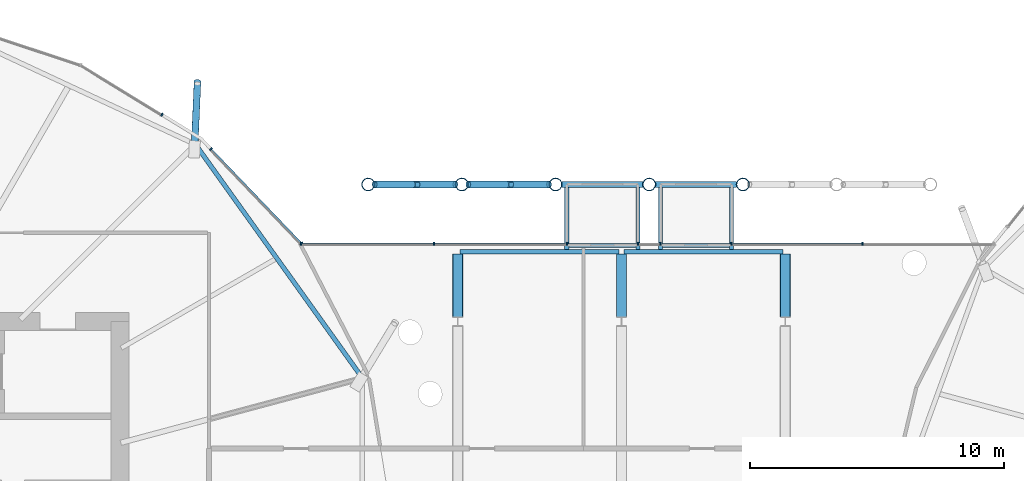
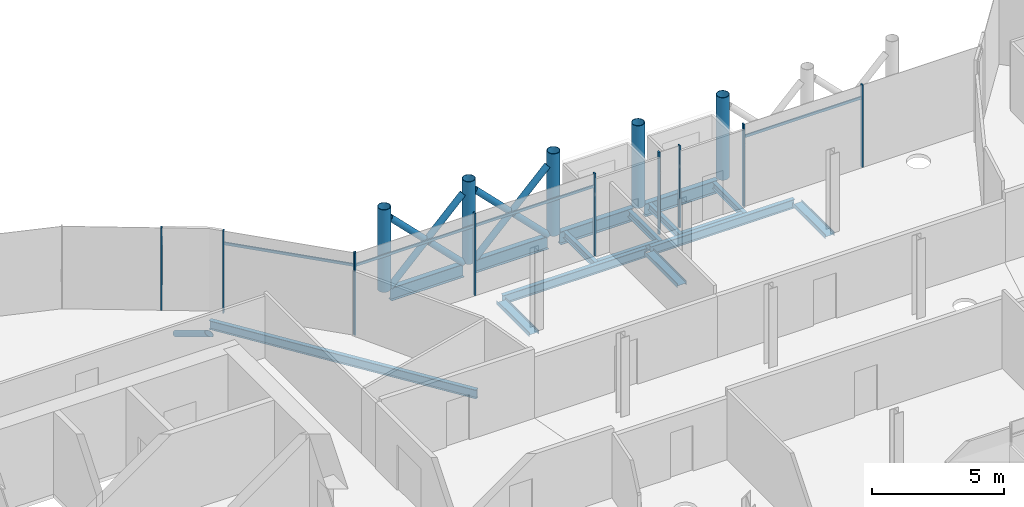
# One storey, part 11 of 39: 26 members, 16 beams, 2 elements without a shape of their own.
"""IFC4 building model written with IfcOpenShell, lengths in metres."""

import ifcopenshell
import ifcopenshell.guid

model = None  # the IFC model being written
_history = None  # IfcOwnerHistory: only IFC2X3 demands one
_inside = {}  # id of a spatial element -> (the spatial element, [elements in it])
_under = {}  # id of a project, library or spatial element -> (it, [spatial elements below it])
_declared = {}  # id of a project -> (the project, [libraries it declares])
_typed = {}  # id of a type object -> (the type object, [elements of that type])
_made_of = {}  # id of a material, layer set ... -> (it, [elements and type objects made of it])


def new_model(schema):
    """Start an empty IFC model of exactly this schema.

    Asked for "IFC4X3", IfcOpenShell would pick the latest addendum, in which some entities
    have other attributes; the version numbers below select the first issue.
    IFC2X3 requires an IfcOwnerHistory on every rooted entity: one is made here for all.
    """
    global model, _history
    if schema == "IFC4X3":
        model = ifcopenshell.file(schema_version=(4, 3, 0, 0))
    else:
        model = ifcopenshell.file(schema=schema)
    _inside.clear()
    _under.clear()
    _declared.clear()
    _typed.clear()
    _made_of.clear()
    _history = None
    if model.schema == "IFC2X3":
        org = make("IfcOrganization", Name="unknown")
        user = make(
            "IfcPersonAndOrganization",
            ThePerson=make("IfcPerson", FamilyName="unknown"),
            TheOrganization=org,
        )
        app = make(
            "IfcApplication",
            ApplicationDeveloper=org,
            Version="unknown",
            ApplicationFullName="unknown",
            ApplicationIdentifier="unknown",
        )
        _history = make(
            "IfcOwnerHistory",
            OwningUser=user,
            OwningApplication=app,
            ChangeAction="ADDED",
            CreationDate=0,
        )
    return model


def make(cls, **values):
    """One entity of the class cls with the attributes given. An attribute that is None is left unset."""
    return model.create_entity(
        cls, **{name: value for name, value in values.items() if value is not None}
    )


def rooted(cls, **values):
    """An entity with a GlobalId (a new one), such as an element, a storey or a relation."""
    return make(cls, GlobalId=ifcopenshell.guid.new(), OwnerHistory=_history, **values)


def si_unit(unit_type, name, prefix=None):
    """IfcSIUnit, for example si_unit("LENGTHUNIT", "METRE", prefix="MILLI")."""
    return make("IfcSIUnit", UnitType=unit_type, Prefix=prefix, Name=name)


def assignment(units):
    """IfcUnitAssignment: the units of a project."""
    return None if units is None else make("IfcUnitAssignment", Units=units)


def point(xyz):
    """IfcCartesianPoint."""
    return None if xyz is None else make("IfcCartesianPoint", Coordinates=xyz)


def direction(xyz):
    """IfcDirection."""
    return None if xyz is None else make("IfcDirection", DirectionRatios=xyz)


def frame(location, z_axis=None, x_axis=None):
    """IfcAxis2Placement3D, a coordinate frame: its origin and axes. An axis left out is left unset."""
    return make(
        "IfcAxis2Placement3D",
        Location=point(location),
        Axis=direction(z_axis),
        RefDirection=direction(x_axis),
    )


def frame_2d(location, x_axis=None):
    """IfcAxis2Placement2D, a coordinate frame in the plane: its origin and x axis."""
    return make(
        "IfcAxis2Placement2D", Location=point(location), RefDirection=direction(x_axis)
    )


def origin():
    """The frame at (0, 0, 0) with its axes left unset."""
    return frame((0.0, 0.0, 0.0))


def origin_2d():
    """The frame at (0, 0) in the plane with its x axis left unset."""
    return frame_2d((0.0, 0.0))


def place(relative_to, where):
    """IfcLocalPlacement: puts the frame where relative to a parent placement (None: the world)."""
    return make(
        "IfcLocalPlacement", PlacementRelTo=relative_to, RelativePlacement=where
    )


def context(
    kind, dimensions, precision=None, world=None, true_north=None, identifier=None
):
    """IfcGeometricRepresentationContext, for example the 3D "Model" context."""
    return make(
        "IfcGeometricRepresentationContext",
        ContextIdentifier=identifier,
        ContextType=kind,
        CoordinateSpaceDimension=dimensions,
        Precision=precision,
        WorldCoordinateSystem=world,
        TrueNorth=true_north,
    )


def subcontext(parent, identifier, kind, view, scale=None):
    """IfcGeometricRepresentationSubContext, for example "Body" below "Model"."""
    return make(
        "IfcGeometricRepresentationSubContext",
        ContextIdentifier=identifier,
        ContextType=kind,
        ParentContext=parent,
        TargetScale=scale,
        TargetView=view,
    )


def project(units=None, contexts=None):
    """IfcProject with its units and contexts."""
    return rooted(
        "IfcProject",
        Name="project",
        RepresentationContexts=contexts,
        UnitsInContext=assignment(units),
    )


def spatial(cls, under=None, at=None, **own):
    """A site, building, storey or space (cls), placed at a placement, below another one or the project."""
    s = rooted(cls, ObjectPlacement=at, **own)
    if under is not None:
        _under.setdefault(under.id(), (under, []))[1].append(s)
    return s


def profile(cls, at=None, kind="AREA", **sizes):
    """A parametric profile (cls). Its sizes go by their IFC names, for example OverallWidth=200.0."""
    return make(cls, ProfileType=kind, Position=at, **sizes)


def rectangle(**sizes):
    """IfcRectangleProfileDef."""
    return profile("IfcRectangleProfileDef", **sizes)


def hollow_circle(**sizes):
    """IfcCircleHollowProfileDef."""
    return profile("IfcCircleHollowProfileDef", **sizes)


def i_section(**sizes):
    """IfcIShapeProfileDef."""
    return profile("IfcIShapeProfileDef", **sizes)


def extrude(swept, where, along, depth):
    """IfcExtrudedAreaSolid: the profile swept, set in the frame where, extruded along a direction by depth."""
    return make(
        "IfcExtrudedAreaSolid",
        SweptArea=swept,
        Position=where,
        ExtrudedDirection=direction(along),
        Depth=depth,
    )


def clip(a, b, op="DIFFERENCE"):
    """IfcBooleanClippingResult: the solid a cut by the half space b."""
    return make(
        "IfcBooleanClippingResult", Operator=op, FirstOperand=a, SecondOperand=b
    )


def halfspace(plane, agree):
    """IfcHalfSpaceSolid: all space on one side of the plane z = 0 of the frame plane."""
    return make(
        "IfcHalfSpaceSolid",
        BaseSurface=make("IfcPlane", Position=plane),
        AgreementFlag=agree,
    )


def shape(context_of_items, identifier, shape_type, items):
    """IfcShapeRepresentation: the items that make up one representation, for example the "Body"."""
    return make(
        "IfcShapeRepresentation",
        ContextOfItems=context_of_items,
        RepresentationIdentifier=identifier,
        RepresentationType=shape_type,
        Items=items,
    )


def material(Name=None, Category=None):
    """IfcMaterial."""
    return make("IfcMaterial", Name=Name, Category=Category)


def material_profile(
    of_material, cross_section, Name=None, Category=None, Priority=None
):
    """IfcMaterialProfile: a cross section and its material."""
    return make(
        "IfcMaterialProfile",
        Name=Name,
        Material=of_material,
        Profile=cross_section,
        Priority=Priority,
        Category=Category,
    )


def profile_set(profiles, Name=None, composite=None):
    """IfcMaterialProfileSet."""
    return make(
        "IfcMaterialProfileSet",
        Name=Name,
        MaterialProfiles=profiles,
        CompositeProfile=composite,
    )


def made_of(thing, what):
    """Note that an element or type object is made of a material, layer set ...; save() writes the relation."""
    if what is not None:
        _made_of.setdefault(what.id(), (what, []))[1].append(thing)
    return thing


def type_object(cls, material=None, **own):
    """A type object (cls), such as IfcWallType, which elements share."""
    return made_of(rooted(cls, **own), material)


def element(
    cls,
    number,
    at=None,
    inside=None,
    cuts=None,
    type_object=None,
    material=None,
    context=None,
    identifier="Body",
    shape_type=None,
    held_by="IfcProductDefinitionShape",
    body=None,
    shapes=None,
    **own,
):
    """One element of the class cls, such as IfcWall. Its Tag is "e" and its number.

    at: its placement. inside: the storey or other place that contains it. cuts: it is an
    opening in that element (IfcRelVoidsElement). A single representation is given by context,
    identifier, shape_type and body (its items); several are given by shapes. held_by: the class
    of the entity that holds the representations. save() writes the other relations.
    """
    e = rooted(cls, Tag="e%d" % number, ObjectPlacement=at, **own)
    if body is not None:
        shapes = [shape(context, identifier, shape_type, body)]
    if shapes is not None:
        e.Representation = make(held_by, Representations=shapes)
    if inside is not None:
        _inside.setdefault(inside.id(), (inside, []))[1].append(e)
    if cuts is not None:
        rooted(
            "IfcRelVoidsElement", RelatingBuildingElement=cuts, RelatedOpeningElement=e
        )
    if type_object is not None:
        _typed.setdefault(type_object.id(), (type_object, []))[1].append(e)
    return made_of(e, material)


def aggregate(whole, parts):
    """IfcRelAggregates: a whole, such as a stair, and the parts it consists of."""
    return rooted("IfcRelAggregates", RelatingObject=whole, RelatedObjects=parts)


def save(model, path):
    """Write the relations noted so far, then the file.

    IfcRelAggregates (storeys below a building ...), IfcRelContainedInSpatialStructure (elements
    in a storey), IfcRelDefinesByType, IfcRelAssociatesMaterial and IfcRelDeclares: one each for
    every whole, place, type object, material and project.
    """
    for whole, parts in _under.values():
        aggregate(whole, parts)
    for where, things in _inside.values():
        rooted(
            "IfcRelContainedInSpatialStructure",
            RelatedElements=things,
            RelatingStructure=where,
        )
    for kind, things in _typed.values():
        rooted("IfcRelDefinesByType", RelatedObjects=things, RelatingType=kind)
    for what, things in _made_of.values():
        rooted("IfcRelAssociatesMaterial", RelatedObjects=things, RelatingMaterial=what)
    for by, libraries in _declared.values():
        rooted("IfcRelDeclares", RelatingContext=by, RelatedDefinitions=libraries)
    model.write(path)


model = new_model("IFC4")

# Units and contexts
model_context = context("Model", 3, precision=1e-05, world=origin(), true_north=direction((0.0, 1.0)))
body_context = subcontext(model_context, "Body", "Model", "MODEL_VIEW")
ifc_project = project(units=[si_unit("LENGTHUNIT", "METRE"), si_unit("AREAUNIT", "SQUARE_METRE"), si_unit("VOLUMEUNIT", "CUBIC_METRE"), si_unit("PLANEANGLEUNIT", "RADIAN"), si_unit("MASSUNIT", "GRAM", prefix="KILO")], contexts=[model_context])

# Site, building, storey
site_placement = place(None, origin())
site = spatial("IfcSite", under=ifc_project, at=site_placement, CompositionType="ELEMENT")
building_placement = place(site_placement, origin())
building = spatial("IfcBuilding", under=site, at=building_placement, Name="Rimbun Link Towers", CompositionType="ELEMENT")
storey_placement = place(building_placement, frame((0.0, 0.0, 143.0)))
storey = spatial("IfcBuildingStorey", under=building, at=storey_placement, Name="L34", CompositionType="ELEMENT", Elevation=143.0)

# Curtain wall, members
ifc_material_1 = material(Name="Aluminium 6063-T6 and low-iron glass", Category="aluminium")
curtain_wall_type = type_object("IfcCurtainWallType", Name="CW4 link block wall", PredefinedType="NOTDEFINED", material=ifc_material_1)
curtain_wall_1_placement = place(storey_placement, origin())
curtain_wall_1 = element("IfcCurtainWall", 1, at=curtain_wall_1_placement, inside=storey, type_object=curtain_wall_type, Name="CW4 L34 T1", PredefinedType="NOTDEFINED")
ifc_material_2 = material(Name="Aluminium 6063-T6", Category="aluminium")
ifc_material_profile_1 = material_profile(ifc_material_2, rectangle(XDim=0.1201171875, YDim=0.06005859375, at=origin_2d()), Name="MULLION 60X120")
ifc_profile_set_1 = profile_set([ifc_material_profile_1], Name="Aluminium 6063-T6")
member_type_1 = type_object("IfcMemberType", Name="CW4 mullion 60X120", PredefinedType="MULLION", material=ifc_profile_set_1)
member_1_placement = place(storey_placement, frame((-16.171875, 14.798583984375, 0.0), z_axis=(0.0, 0.0, 1.0), x_axis=(0.721858090698, 0.692041109252, 0.0)))
member_1 = element("IfcMember", 2, at=member_1_placement, type_object=member_type_1, Name="CW4 mullion", PredefinedType="MULLION", context=body_context, shape_type="SweptSolid", body=[
    extrude(rectangle(XDim=0.1201171875, YDim=0.06005859375, at=origin_2d()), origin(), (0.0, 0.0, 1.0), 3.800048828125),
])
member_2_placement = place(storey_placement, frame((-12.599853515625, 11.07275390625, 0.0), z_axis=(0.0, 0.0, 1.0), x_axis=(0.721858090698, 0.692041109252, 0.0)))
member_2 = element("IfcMember", 3, at=member_2_placement, type_object=member_type_1, Name="CW4 mullion", PredefinedType="MULLION", context=body_context, shape_type="SweptSolid", body=[
    extrude(rectangle(XDim=0.1201171875, YDim=0.06005859375, at=origin_2d()), origin(), (0.0, 0.0, 1.0), 3.800048828125),
])
member_3_placement = place(storey_placement, frame((-18.098388671875, 16.147216796875, 0.0), z_axis=(0.0, 0.0, 1.0), x_axis=(0.523225378089, 0.852194346217, 0.0)))
member_3 = element("IfcMember", 4, at=member_3_placement, type_object=member_type_1, Name="CW4 mullion", PredefinedType="MULLION", context=body_context, shape_type="SweptSolid", body=[
    extrude(rectangle(XDim=0.1201171875, YDim=0.06005859375, at=origin_2d()), origin(), (0.0, 0.0, 1.0), 3.800048828125),
])

curtain_wall_2_placement = place(storey_placement, origin())
curtain_wall_2 = element("IfcCurtainWall", 5, at=curtain_wall_2_placement, inside=storey, type_object=curtain_wall_type, Name="CW4 L34 LB", PredefinedType="NOTDEFINED")
member_4_placement = place(storey_placement, frame((-12.626953125, 11.06005859375, 0.0), z_axis=(0.0, 0.0, 1.0), x_axis=(0.0, 1.0, 0.0)))
member_4 = element("IfcMember", 6, at=member_4_placement, type_object=member_type_1, Name="CW4 mullion", PredefinedType="MULLION", context=body_context, shape_type="SweptSolid", body=[
    extrude(rectangle(XDim=0.1201171875, YDim=0.06005859375, at=origin_2d()), origin(), (0.0, 0.0, 1.0), 3.800048828125),
])
member_5_placement = place(storey_placement, frame((-7.39013671875, 11.06005859375, 0.0), z_axis=(0.0, 0.0, 1.0), x_axis=(0.0, 1.0, 0.0)))
member_5 = element("IfcMember", 7, at=member_5_placement, type_object=member_type_1, Name="CW4 mullion", PredefinedType="MULLION", context=body_context, shape_type="SweptSolid", body=[
    extrude(rectangle(XDim=0.1201171875, YDim=0.06005859375, at=origin_2d()), origin(), (0.0, 0.0, 1.0), 3.800048828125),
])
member_6_placement = place(storey_placement, frame((-2.1533203125, 11.06005859375, 0.0), z_axis=(0.0, 0.0, 1.0), x_axis=(0.0, 1.0, 0.0)))
member_6 = element("IfcMember", 8, at=member_6_placement, type_object=member_type_1, Name="CW4 mullion", PredefinedType="MULLION", context=body_context, shape_type="SweptSolid", body=[
    extrude(rectangle(XDim=0.1201171875, YDim=0.06005859375, at=origin_2d()), origin(), (0.0, 0.0, 1.0), 3.800048828125),
])
member_7_placement = place(storey_placement, frame((0.646728515625, 11.06005859375, 0.0), z_axis=(0.0, 0.0, 1.0), x_axis=(0.0, 1.0, 0.0)))
member_7 = element("IfcMember", 9, at=member_7_placement, type_object=member_type_1, Name="CW4 mullion", PredefinedType="MULLION", context=body_context, shape_type="SweptSolid", body=[
    extrude(rectangle(XDim=0.1201171875, YDim=0.06005859375, at=origin_2d()), origin(), (0.0, 0.0, 1.0), 3.800048828125),
])
member_8_placement = place(storey_placement, frame((1.536865234375, 11.06005859375, 0.0), z_axis=(0.0, 0.0, 1.0), x_axis=(0.0, 1.0, 0.0)))
member_8 = element("IfcMember", 10, at=member_8_placement, type_object=member_type_1, Name="CW4 mullion", PredefinedType="MULLION", context=body_context, shape_type="SweptSolid", body=[
    extrude(rectangle(XDim=0.1201171875, YDim=0.06005859375, at=origin_2d()), origin(), (0.0, 0.0, 1.0), 3.800048828125),
])
member_9_placement = place(storey_placement, frame((4.336669921875, 11.06005859375, 0.0), z_axis=(0.0, 0.0, 1.0), x_axis=(0.0, 1.0, 0.0)))
member_9 = element("IfcMember", 11, at=member_9_placement, type_object=member_type_1, Name="CW4 mullion", PredefinedType="MULLION", context=body_context, shape_type="SweptSolid", body=[
    extrude(rectangle(XDim=0.1201171875, YDim=0.06005859375, at=origin_2d()), origin(), (0.0, 0.0, 1.0), 3.800048828125),
])
member_10_placement = place(storey_placement, frame((9.498779296875, 11.06005859375, 0.0), z_axis=(0.0, 0.0, 1.0), x_axis=(0.0, 1.0, 0.0)))
member_10 = element("IfcMember", 12, at=member_10_placement, type_object=member_type_1, Name="CW4 mullion", PredefinedType="MULLION", context=body_context, shape_type="SweptSolid", body=[
    extrude(rectangle(XDim=0.1201171875, YDim=0.06005859375, at=origin_2d()), origin(), (0.0, 0.0, 1.0), 3.800048828125),
])

# Member
ifc_material_3 = material(Name="Aluminium 6063-T6", Category="aluminium")
ifc_material_profile_2 = material_profile(ifc_material_3, rectangle(XDim=0.06005859375, YDim=0.1201171875, at=origin_2d()), Name="TRANSOM 60X120")
ifc_profile_set_2 = profile_set([ifc_material_profile_2], Name="Aluminium 6063-T6")
member_type_2 = type_object("IfcMemberType", Name="CW4 transom 60X120", PredefinedType="USERDEFINED", material=ifc_profile_set_2)
member_11_placement = place(storey_placement, frame((-16.152587890625, 14.775634765625, 3.199951171875), z_axis=(0.692042551771, -0.72185670776, 0.0), x_axis=(0.72185670776, 0.692042551771, 0.0)))
member_11 = element("IfcMember", 13, at=member_11_placement, type_object=member_type_2, Name="CW4 transom", ObjectType="TRANSOM", PredefinedType="USERDEFINED", context=body_context, shape_type="SweptSolid", body=[
    extrude(rectangle(XDim=0.06005859375, YDim=0.1201171875, at=origin_2d()), origin(), (0.0, 0.0, 1.0), 5.1015625),
])

aggregate(curtain_wall_1, [member_1, member_2, member_3, member_11])

member_12_placement = place(storey_placement, frame((-12.596923828125, 11.05810546875, 3.199951171875), z_axis=(1.0, 0.0, 0.0), x_axis=(0.0, 1.0, 0.0)))
member_12 = element("IfcMember", 14, at=member_12_placement, type_object=member_type_2, Name="CW4 transom", ObjectType="TRANSOM", PredefinedType="USERDEFINED", context=body_context, shape_type="SweptSolid", body=[
    extrude(rectangle(XDim=0.06005859375, YDim=0.1201171875, at=origin_2d()), origin(), (0.0, 0.0, 1.0), 5.1767578125),
])

member_13_placement = place(storey_placement, frame((-7.360107421875, 11.05810546875, 3.199951171875), z_axis=(1.0, 0.0, 0.0), x_axis=(0.0, 1.0, 0.0)))
member_13 = element("IfcMember", 15, at=member_13_placement, type_object=member_type_2, Name="CW4 transom", ObjectType="TRANSOM", PredefinedType="USERDEFINED", context=body_context, shape_type="SweptSolid", body=[
    extrude(rectangle(XDim=0.06005859375, YDim=0.1201171875, at=origin_2d()), origin(), (0.0, 0.0, 1.0), 5.177001953125),
])

member_14_placement = place(storey_placement, frame((4.36669921875, 11.05810546875, 3.199951171875), z_axis=(1.0, 0.0, 0.0), x_axis=(0.0, 1.0, 0.0)))
member_14 = element("IfcMember", 16, at=member_14_placement, type_object=member_type_2, Name="CW4 transom", ObjectType="TRANSOM", PredefinedType="USERDEFINED", context=body_context, shape_type="SweptSolid", body=[
    extrude(rectangle(XDim=0.06005859375, YDim=0.1201171875, at=origin_2d()), origin(), (0.0, 0.0, 1.0), 5.10205078125),
])

aggregate(curtain_wall_2, [member_4, member_5, member_6, member_7, member_8, member_9, member_10, member_12, member_13, member_14])

# Beams
ifc_material_4 = material(Name="Steel S355J2", Category="steel")
ifc_material_profile_3 = material_profile(ifc_material_4, i_section(OverallWidth=0.1650390625, OverallDepth=0.303466796875, WebThickness=0.006103515625, FlangeThickness=0.01025390625, at=origin_2d()), Name="UB 305x165x40")
ifc_profile_set_3 = profile_set([ifc_material_profile_3], Name="Steel S355J2")
beam_type_1 = type_object("IfcBeamType", Name="Capsule bracket beam UB 305x165x40", PredefinedType="BEAM", material=ifc_profile_set_3)
for number, where, z_axis, x_axis, name in (
    (17, (-2.1533203125, 10.8349609375, -0.37158203125), (0.0, 1.0, 0.0), (-1.0, 0.0, 0.0), "Capsule F34.01 bracket beam 1"),
    (18, (0.646728515625, 10.8349609375, -0.37158203125), (0.0, 1.0, 0.0), (-1.0, 0.0, 0.0), "Capsule F34.01 bracket beam 2"),
):
    element("IfcBeam", number, at=place(storey_placement, frame(where, z_axis=z_axis, x_axis=x_axis)), inside=storey, type_object=beam_type_1, Name=name, PredefinedType="BEAM", context=body_context, shape_type="SweptSolid", body=[
        extrude(i_section(OverallWidth=0.1650390625, OverallDepth=0.303466796875, WebThickness=0.006103515625, FlangeThickness=0.01025390625, at=origin_2d()), origin(), (0.0, 0.0, 1.0), 2.451171875),
    ])
beam_1_placement = place(storey_placement, frame((-2.07080078125, 11.0, -0.37158203125), z_axis=(1.0, 0.0, 0.0), x_axis=(0.0, 1.0, 0.0)))
element("IfcBeam", 19, at=beam_1_placement, inside=storey, type_object=beam_type_1, Name="Capsule F34.01 bracket beam 3", PredefinedType="BEAM", context=body_context, shape_type="SweptSolid", body=[
    extrude(i_section(OverallWidth=0.1650390625, OverallDepth=0.303466796875, WebThickness=0.006103515625, FlangeThickness=0.01025390625, at=origin_2d()), origin(), (0.0, 0.0, 1.0), 2.635009765625),
])
for number, where, z_axis, x_axis, name in (
    (20, (1.536865234375, 10.8349609375, -0.37158203125), (0.0, 1.0, 0.0), (-1.0, 0.0, 0.0), "Capsule F34.02 bracket beam 1"),
    (21, (4.336669921875, 10.8349609375, -0.37158203125), (0.0, 1.0, 0.0), (-1.0, 0.0, 0.0), "Capsule F34.02 bracket beam 2"),
):
    element("IfcBeam", number, at=place(storey_placement, frame(where, z_axis=z_axis, x_axis=x_axis)), inside=storey, type_object=beam_type_1, Name=name, PredefinedType="BEAM", context=body_context, shape_type="SweptSolid", body=[
        extrude(i_section(OverallWidth=0.1650390625, OverallDepth=0.303466796875, WebThickness=0.006103515625, FlangeThickness=0.01025390625, at=origin_2d()), origin(), (0.0, 0.0, 1.0), 2.451171875),
    ])
beam_2_placement = place(storey_placement, frame((1.619140625, 11.0, -0.37158203125), z_axis=(1.0, 0.0, 0.0), x_axis=(0.0, 1.0, 0.0)))
element("IfcBeam", 22, at=beam_2_placement, inside=storey, type_object=beam_type_1, Name="Capsule F34.02 bracket beam 3", PredefinedType="BEAM", context=body_context, shape_type="SweptSolid", body=[
    extrude(i_section(OverallWidth=0.1650390625, OverallDepth=0.303466796875, WebThickness=0.006103515625, FlangeThickness=0.01025390625, at=origin_2d()), origin(), (0.0, 0.0, 1.0), 2.635009765625),
])

# Member
ifc_material_5 = material(Name="Steel S355J2H", Category="steel")
ifc_material_profile_4 = material_profile(ifc_material_5, hollow_circle(Radius=0.136474609375, WallThickness=0.012451171875, at=origin_2d()), Name="CHS 273x12.5")
ifc_profile_set_4 = profile_set([ifc_material_profile_4], Name="Steel S355J2H")
member_type_3 = type_object("IfcMemberType", Name="Floor edge link CHS 273x12.5", PredefinedType="BRACE", material=ifc_profile_set_4)
member_15_placement = place(storey_placement, frame((-16.81298828125, 14.93701171875, -0.8291015625), z_axis=(0.038053761592, 0.849675566597, -0.525930929644), x_axis=(-0.998998603204, 0.044741376793, 0.0)))
element("IfcMember", 23, at=member_15_placement, inside=storey, type_object=member_type_3, Name="Floor edge link T1 L34 03", PredefinedType="BRACE", context=body_context, shape_type="Clipping", body=[
    clip(extrude(hollow_circle(Radius=0.136474609375, WallThickness=0.012451171875, at=origin_2d()), frame((0.0, 0.0, -0.46044921875)), (0.0, 0.0, 1.0), 3.430908203125), halfspace(frame((0.0, 0.0, -0.216796875), z_axis=(0.0, 0.850527281893, -0.525930929644)), False)),
])

# Beams
ifc_material_6 = material(Name="Steel S355J2", Category="steel")
ifc_material_profile_5 = material_profile(ifc_material_6, i_section(OverallWidth=0.177978515625, OverallDepth=0.406494140625, WebThickness=0.0078125, FlangeThickness=0.0126953125, at=origin_2d()), Name="UKB 406x178x60")
ifc_profile_set_5 = profile_set([ifc_material_profile_5], Name="Steel S355J2")
beam_type_2 = type_object("IfcBeamType", Name="Link floor beam UKB 406x178x60", PredefinedType="BEAM", material=ifc_profile_set_5)
for number, where, z_axis, x_axis, name in (
    (24, (-6.449951171875, 8.1875, -0.36328125), (0.0, 1.0, 0.0), (0.0, 0.0, 1.0), "Link floor beam L34 03"),
    (25, (0.0, 8.1875, -0.36328125), (0.0, 1.0, 0.0), (0.0, 0.0, 1.0), "Link floor beam L34 07"),
    (26, (6.449951171875, 8.1875, -0.36328125), (0.0, 1.0, 0.0), (0.0, 0.0, 1.0), "Link floor beam L34 11"),
):
    element("IfcBeam", number, at=place(storey_placement, frame(where, z_axis=z_axis, x_axis=x_axis)), inside=storey, type_object=beam_type_2, Name=name, PredefinedType="BEAM", context=body_context, shape_type="SweptSolid", body=[
        extrude(i_section(OverallWidth=0.177978515625, OverallDepth=0.406494140625, WebThickness=0.0078125, FlangeThickness=0.0126953125, at=origin_2d()), origin(), (0.0, 0.0, 1.0), 2.473388671875),
    ])
for number, where, z_axis, x_axis, name in (
    (27, (-6.361083984375, 10.75, -0.36328125), (1.0, 0.0, 0.0), (0.0, 1.0, 0.0), "Link edge beam L34 14"),
    (28, (0.089111328125, 10.75, -0.36328125), (1.0, 0.0, 0.0), (0.0, 1.0, 0.0), "Link edge beam L34 15"),
):
    element("IfcBeam", number, at=place(storey_placement, frame(where, z_axis=z_axis, x_axis=x_axis)), inside=storey, type_object=beam_type_2, Name=name, PredefinedType="BEAM", context=body_context, shape_type="SweptSolid", body=[
        extrude(i_section(OverallWidth=0.177978515625, OverallDepth=0.406494140625, WebThickness=0.0078125, FlangeThickness=0.0126953125, at=origin_2d()), origin(), (0.0, 0.0, 1.0), 6.27197265625),
    ])

# Members
ifc_material_7 = material(Name="Steel S355J2H", Category="steel")
ifc_material_profile_6 = material_profile(ifc_material_7, hollow_circle(Radius=0.136474609375, WallThickness=0.012451171875, at=origin_2d()), Name="CHS 273x12.5")
ifc_profile_set_6 = profile_set([ifc_material_profile_6], Name="Steel S355J2H")
member_type_4 = type_object("IfcMemberType", Name="Link megaframe brace CHS 273x12.5", PredefinedType="BRACE", material=ifc_profile_set_6)
member_16_placement = place(storey_placement, frame((-9.72412109375, 13.39990234375, -0.219970703125), z_axis=(0.705427006665, 0.0, 0.708782574749), x_axis=(0.0, 1.0, 0.0)))
element("IfcMember", 29, at=member_16_placement, inside=storey, type_object=member_type_4, Name="Link megaframe brace N0-1 bay 3.1", PredefinedType="BRACE", context=body_context, shape_type="SweptSolid", body=[
    extrude(hollow_circle(Radius=0.136474609375, WallThickness=0.012451171875, at=origin_2d()), origin(), (0.0, 0.0, 1.0), 4.510986328125),
])
for number, where, z_axis, x_axis, name in (
    (30, (-6.5419921875, 13.39990234375, -0.219970703125), (-0.70537354252, 0.0, 0.708835781767), (0.0, -1.0, 0.0), "Link megaframe brace N0-1 bay 3.2a"),
    (31, (-8.231689453125, 13.39990234375, 1.47802734375), (-0.705489222991, 0.0, 0.708720647536), (0.0, -1.0, 0.0), "Link megaframe brace N0-1 bay 3.2b"),
):
    element("IfcMember", number, at=place(storey_placement, frame(where, z_axis=z_axis, x_axis=x_axis)), inside=storey, type_object=member_type_4, Name=name, PredefinedType="BRACE", context=body_context, shape_type="SweptSolid", body=[
        extrude(hollow_circle(Radius=0.136474609375, WallThickness=0.012451171875, at=origin_2d()), origin(), (0.0, 0.0, 1.0), 2.115478515625),
    ])
member_17_placement = place(storey_placement, frame((-6.0341796875, 13.39990234375, -0.219970703125), z_axis=(0.705399815657, 0.0, 0.708809635989), x_axis=(0.0, 1.0, 0.0)))
element("IfcMember", 32, at=member_17_placement, inside=storey, type_object=member_type_4, Name="Link megaframe brace N1-2 bay 3.1", PredefinedType="BRACE", context=body_context, shape_type="SweptSolid", body=[
    extrude(hollow_circle(Radius=0.136474609375, WallThickness=0.012451171875, at=origin_2d()), origin(), (0.0, 0.0, 1.0), 4.5107421875),
])
member_18_placement = place(storey_placement, frame((-2.852294921875, 13.39990234375, -0.219970703125), z_axis=(-0.70537354252, 0.0, 0.708835781767), x_axis=(0.0, -1.0, 0.0)))
element("IfcMember", 33, at=member_18_placement, inside=storey, type_object=member_type_4, Name="Link megaframe brace N1-2 bay 3.2a", PredefinedType="BRACE", context=body_context, shape_type="SweptSolid", body=[
    extrude(hollow_circle(Radius=0.136474609375, WallThickness=0.012451171875, at=origin_2d()), origin(), (0.0, 0.0, 1.0), 2.115478515625),
])
member_19_placement = place(storey_placement, frame((-4.5419921875, 13.39990234375, 1.47802734375), z_axis=(-0.705431248199, 0.0, 0.70877835327), x_axis=(0.0, -1.0, 0.0)))
element("IfcMember", 34, at=member_19_placement, inside=storey, type_object=member_type_4, Name="Link megaframe brace N1-2 bay 3.2b", PredefinedType="BRACE", context=body_context, shape_type="SweptSolid", body=[
    extrude(hollow_circle(Radius=0.136474609375, WallThickness=0.012451171875, at=origin_2d()), origin(), (0.0, 0.0, 1.0), 2.115234375),
])
ifc_material_8 = material(Name="Steel S355J2H", Category="steel")
ifc_material_profile_7 = material_profile(ifc_material_8, hollow_circle(Radius=0.25390625, WallThickness=0.02001953125, at=origin_2d()), Name="CHS 508x20")
ifc_profile_set_7 = profile_set([ifc_material_profile_7], Name="Steel S355J2H")
member_type_5 = type_object("IfcMemberType", Name="Link megaframe post CHS 508x20", PredefinedType="POST", material=ifc_profile_set_7)
for number, where, z_axis, x_axis, name in (
    (35, (-9.97802734375, 13.39990234375, -0.219970703125), (0.0, 0.0, 1.0), (1.0, 0.0, 0.0), "Link megaframe post N0 bay 3"),
    (36, (-6.2880859375, 13.39990234375, -0.219970703125), (0.0, 0.0, 1.0), (1.0, 0.0, 0.0), "Link megaframe post N1 bay 3"),
    (37, (-2.59814453125, 13.39990234375, -0.219970703125), (0.0, 0.0, 1.0), (1.0, 0.0, 0.0), "Link megaframe post N2 bay 3"),
    (38, (1.091796875, 13.39990234375, -0.219970703125), (0.0, 0.0, 1.0), (1.0, 0.0, 0.0), "Link megaframe post N3 bay 3"),
    (39, (4.78173828125, 13.39990234375, -0.219970703125), (0.0, 0.0, 1.0), (1.0, 0.0, 0.0), "Link megaframe post N4 bay 3"),
):
    element("IfcMember", number, at=place(storey_placement, frame(where, z_axis=z_axis, x_axis=x_axis)), inside=storey, type_object=member_type_5, Name=name, PredefinedType="POST", context=body_context, shape_type="SweptSolid", body=[
        extrude(hollow_circle(Radius=0.25390625, WallThickness=0.02001953125, at=origin_2d()), origin(), (0.0, 0.0, 1.0), 3.800048828125),
    ])

# Beams
ifc_material_9 = material(Name="Steel S355J2", Category="steel")
ifc_material_profile_8 = material_profile(ifc_material_9, i_section(OverallWidth=0.2275390625, OverallDepth=0.6025390625, WebThickness=0.010498046875, FlangeThickness=0.014892578125, at=origin_2d()), Name="UB 610x229x101")
ifc_profile_set_8 = profile_set([ifc_material_profile_8], Name="Steel S355J2")
beam_type_3 = type_object("IfcBeamType", Name="Link megaframe ring beam UB 610x229x101", PredefinedType="BEAM", material=ifc_profile_set_8)
beam_3_placement = place(storey_placement, frame((-9.72412109375, 13.39990234375, -0.521240234375), z_axis=(1.0, 0.0, 0.0), x_axis=(0.0, 1.0, 0.0)))
element("IfcBeam", 40, at=beam_3_placement, inside=storey, type_object=beam_type_3, Name="Link megaframe ring beam N0-1 L34", PredefinedType="BEAM", context=body_context, shape_type="SweptSolid", body=[
    extrude(i_section(OverallWidth=0.2275390625, OverallDepth=0.6025390625, WebThickness=0.010498046875, FlangeThickness=0.014892578125, at=origin_2d()), origin(), (0.0, 0.0, 1.0), 3.18212890625),
])
beam_4_placement = place(storey_placement, frame((-6.0341796875, 13.39990234375, -0.521240234375), z_axis=(1.0, 0.0, 0.0), x_axis=(0.0, 1.0, 0.0)))
element("IfcBeam", 41, at=beam_4_placement, inside=storey, type_object=beam_type_3, Name="Link megaframe ring beam N1-2 L34", PredefinedType="BEAM", context=body_context, shape_type="SweptSolid", body=[
    extrude(i_section(OverallWidth=0.2275390625, OverallDepth=0.6025390625, WebThickness=0.010498046875, FlangeThickness=0.014892578125, at=origin_2d()), origin(), (0.0, 0.0, 1.0), 3.181884765625),
])
beam_5_placement = place(storey_placement, frame((-2.34423828125, 13.39990234375, -0.521240234375), z_axis=(1.0, 0.0, 0.0), x_axis=(0.0, 1.0, 0.0)))
element("IfcBeam", 42, at=beam_5_placement, inside=storey, type_object=beam_type_3, Name="Link megaframe ring beam N2-3 L34", PredefinedType="BEAM", context=body_context, shape_type="SweptSolid", body=[
    extrude(i_section(OverallWidth=0.2275390625, OverallDepth=0.6025390625, WebThickness=0.010498046875, FlangeThickness=0.014892578125, at=origin_2d()), origin(), (0.0, 0.0, 1.0), 3.18212890625),
])
beam_6_placement = place(storey_placement, frame((1.345703125, 13.39990234375, -0.521240234375), z_axis=(1.0, 0.0, 0.0), x_axis=(0.0, 1.0, 0.0)))
element("IfcBeam", 43, at=beam_6_placement, inside=storey, type_object=beam_type_3, Name="Link megaframe ring beam N3-4 L34", PredefinedType="BEAM", context=body_context, shape_type="SweptSolid", body=[
    extrude(i_section(OverallWidth=0.2275390625, OverallDepth=0.6025390625, WebThickness=0.010498046875, FlangeThickness=0.014892578125, at=origin_2d()), origin(), (0.0, 0.0, 1.0), 3.181884765625),
])
ifc_material_10 = material(Name="Steel S355J2", Category="steel")
ifc_material_profile_9 = material_profile(ifc_material_10, i_section(OverallWidth=0.177978515625, OverallDepth=0.406494140625, WebThickness=0.0078125, FlangeThickness=0.0126953125, at=origin_2d()), Name="UB 406x178x60")
ifc_profile_set_9 = profile_set([ifc_material_profile_9], Name="Steel S355J2")
beam_type_4 = type_object("IfcBeamType", Name="UB 406x178x60", PredefinedType="BEAM", material=ifc_profile_set_9)
beam_7_placement = place(storey_placement, frame((-10.26953125, 5.864990234375, -0.38330078125), z_axis=(-0.581402745389, 0.81361590917, 0.0), x_axis=(-0.81361590917, -0.581402745389, 0.0)))
element("IfcBeam", 44, at=beam_7_placement, inside=storey, type_object=beam_type_4, Name="Edge beam T1 L34 01-03", PredefinedType="BEAM", context=body_context, shape_type="SweptSolid", body=[
    extrude(i_section(OverallWidth=0.177978515625, OverallDepth=0.406494140625, WebThickness=0.0078125, FlangeThickness=0.0126953125, at=origin_2d()), origin(), (0.0, 0.0, 1.0), 11.086669921875),
])

save(model, "model.ifc")
